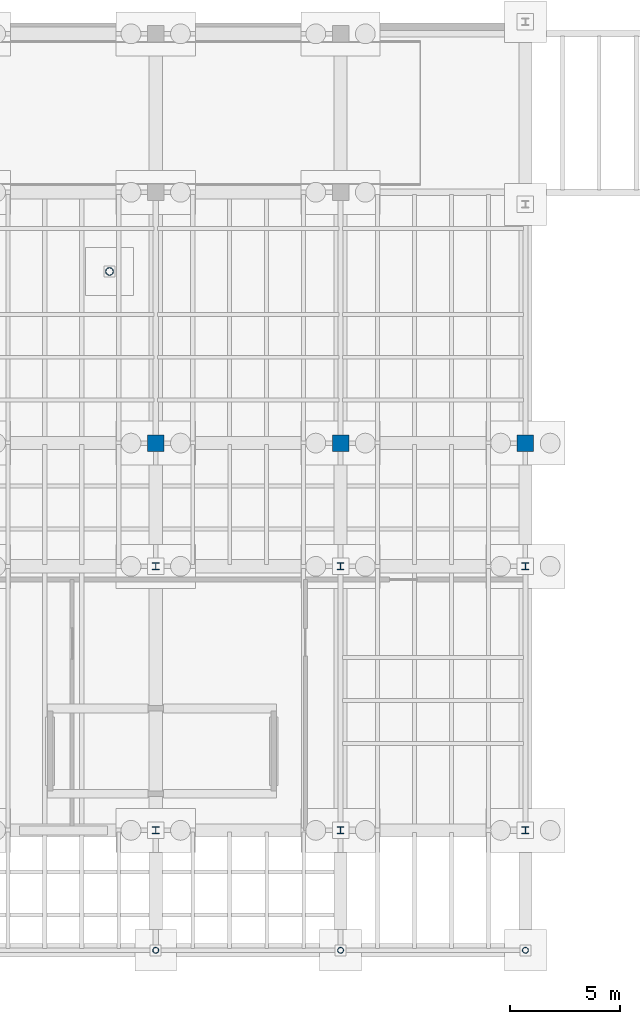
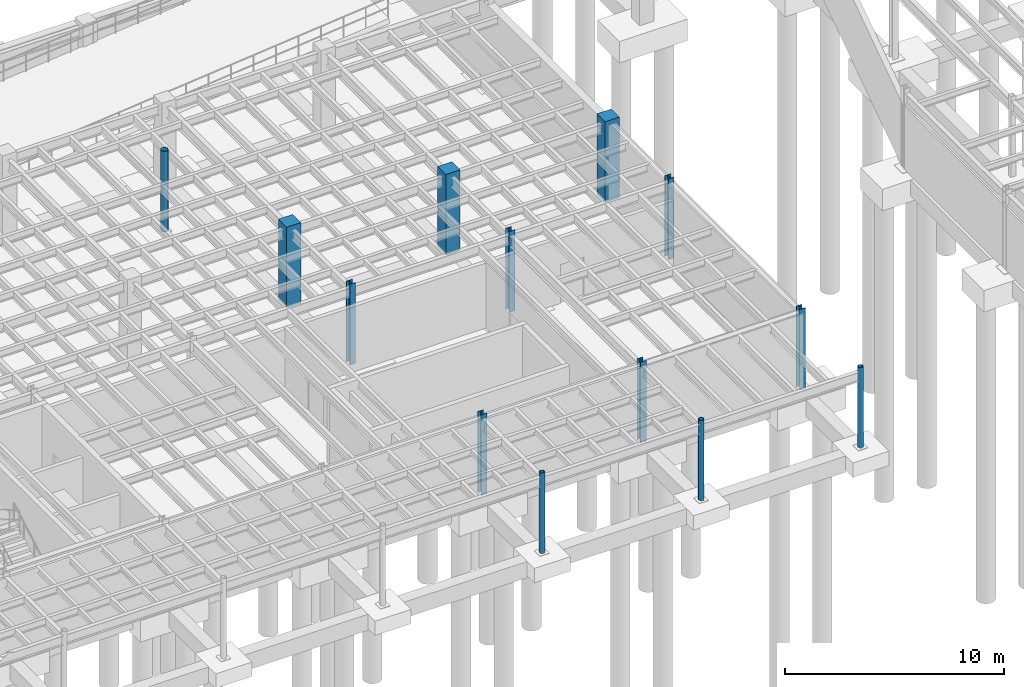
# One storey, part 13 of 41: 13 columns.
"""IFC4 building model written with IfcOpenShell, lengths in metres."""

from ifc_helpers import new_model, si_unit, direction, frame, origin, origin_2d, place, context, subcontext, project, spatial, rectangle, hollow_circle, i_section, extrude, material, material_profile, profile_set, type_object, element, save


model = new_model("IFC4")

# Units and contexts
model_context = context("Model", 3, precision=1e-05, world=origin(), true_north=direction((0.0, 1.0)))
body_context = subcontext(model_context, "Body", "Model", "MODEL_VIEW")
ifc_project = project(units=[si_unit("LENGTHUNIT", "METRE"), si_unit("AREAUNIT", "SQUARE_METRE"), si_unit("VOLUMEUNIT", "CUBIC_METRE"), si_unit("PLANEANGLEUNIT", "RADIAN"), si_unit("MASSUNIT", "GRAM", prefix="KILO")], contexts=[model_context])

# Site, building, storey
site_placement = place(None, origin())
site = spatial("IfcSite", under=ifc_project, at=site_placement, CompositionType="ELEMENT")
building_placement = place(site_placement, origin())
building = spatial("IfcBuilding", under=site, at=building_placement, Name="Selat Folded Stagehouse", CompositionType="ELEMENT")
storey_placement = place(building_placement, frame((0.0, 0.0, -4.5)))
storey = spatial("IfcBuildingStorey", under=building, at=storey_placement, Name="B1", CompositionType="ELEMENT", Elevation=-4.5)

# Columns
ifc_material_1 = material(Name="Steel S355", Category="steel")
ifc_material_profile_1 = material_profile(ifc_material_1, hollow_circle(Radius=0.136474609375, WallThickness=0.012451171875, at=origin_2d()), Name="CHS 273.0x12.5")
ifc_profile_set_1 = profile_set([ifc_material_profile_1], Name="Steel S355")
column_type_1 = type_object("IfcColumnType", Name="COL-CHS-273x12.5", PredefinedType="COLUMN", material=ifc_profile_set_1)
for number, where, z_axis, x_axis, name in (
    (1, (100.800048828125, 0.35009765625, 0.0), (0.0, 0.0, 1.0), (1.0, 0.0, 0.0), "B1 column STK-COLPOST-100"),
    (2, (109.199951171875, 0.35009765625, 0.0), (0.0, 0.0, 1.0), (1.0, 0.0, 0.0), "B1 column STK-COLPOST-109"),
    (3, (117.60009765625, 0.35009765625, 0.0), (0.0, 0.0, 1.0), (1.0, 0.0, 0.0), "B1 column STK-COLPOST-117"),
):
    element("IfcColumn", number, at=place(storey_placement, frame(where, z_axis=z_axis, x_axis=x_axis)), inside=storey, type_object=column_type_1, Name=name, PredefinedType="COLUMN", context=body_context, shape_type="SweptSolid", body=[
        extrude(hollow_circle(Radius=0.136474609375, WallThickness=0.012451171875, at=origin_2d()), origin(), (0.0, 0.0, 1.0), 4.5),
    ])
ifc_material_profile_2 = material_profile(ifc_material_1, hollow_circle(Radius=0.177734375, WallThickness=0.01611328125, at=origin_2d()), Name="CHS 355.6x16.0")
ifc_profile_set_2 = profile_set([ifc_material_profile_2], Name="Steel S355")
column_type_2 = type_object("IfcColumnType", Name="COL-CHS-355x16", PredefinedType="COLUMN", material=ifc_profile_set_2)
column_placement = place(storey_placement, frame((98.699951171875, 31.199951171875, 0.0), z_axis=(0.0, 0.0, 1.0), x_axis=(1.0, 0.0, 0.0)))
element("IfcColumn", 4, at=column_placement, inside=storey, type_object=column_type_2, Name="B1 column STK-BR2-312", PredefinedType="COLUMN", context=body_context, shape_type="SweptSolid", body=[
    extrude(hollow_circle(Radius=0.177734375, WallThickness=0.01611328125, at=origin_2d()), origin(), (0.0, 0.0, 1.0), 4.5),
])
ifc_material_2 = material(Name="Concrete C50/60", Category="concrete")
ifc_material_profile_3 = material_profile(ifc_material_2, rectangle(XDim=0.75, YDim=0.75, at=origin_2d()), Name="RC 750x750")
ifc_profile_set_3 = profile_set([ifc_material_profile_3], Name="Concrete C50/60")
column_type_3 = type_object("IfcColumnType", Name="COL-RC-750x750", PredefinedType="COLUMN", material=ifc_profile_set_3)
for number, where, z_axis, x_axis, name in (
    (5, (100.800048828125, 23.39990234375, 0.0), (0.0, 0.0, 1.0), (1.0, 0.0, 0.0), "B1 column STK-B1CP-100-234"),
    (6, (109.199951171875, 23.39990234375, 0.0), (0.0, 0.0, 1.0), (1.0, 0.0, 0.0), "B1 column STK-B1CP-109-234"),
    (7, (117.60009765625, 23.39990234375, 0.0), (0.0, 0.0, 1.0), (1.0, 0.0, 0.0), "B1 column STK-B1CP-117-234"),
):
    element("IfcColumn", number, at=place(storey_placement, frame(where, z_axis=z_axis, x_axis=x_axis)), inside=storey, type_object=column_type_3, Name=name, PredefinedType="COLUMN", context=body_context, shape_type="SweptSolid", body=[
        extrude(rectangle(XDim=0.75, YDim=0.75, at=origin_2d()), origin(), (0.0, 0.0, 1.0), 4.5),
    ])
ifc_material_profile_4 = material_profile(ifc_material_1, i_section(OverallWidth=0.311279296875, OverallDepth=0.3271484375, WebThickness=0.015869140625, FlangeThickness=0.02490234375, FilletRadius=0.01513671875, at=origin_2d()), Name="UKC 305x305x158")
ifc_profile_set_4 = profile_set([ifc_material_profile_4], Name="Steel S355")
column_type_4 = type_object("IfcColumnType", Name="COL-UKC-305x305x158", PredefinedType="COLUMN", material=ifc_profile_set_4)
for number, where, z_axis, x_axis, name in (
    (8, (100.800048828125, 5.800048828125, 0.0), (0.0, 0.0, 1.0), (1.0, 0.0, 0.0), "B1 column STK-V5-100-58"),
    (9, (100.800048828125, 17.800048828125, 0.0), (0.0, 0.0, 1.0), (1.0, 0.0, 0.0), "B1 column STK-V5-100-178"),
    (10, (109.199951171875, 5.800048828125, 0.0), (0.0, 0.0, 1.0), (1.0, 0.0, 0.0), "B1 column STK-V5-109-58"),
    (11, (109.199951171875, 17.800048828125, 0.0), (0.0, 0.0, 1.0), (1.0, 0.0, 0.0), "B1 column STK-V5-109-178"),
    (12, (117.60009765625, 5.800048828125, 0.0), (0.0, 0.0, 1.0), (1.0, 0.0, 0.0), "B1 column STK-V5-117-58"),
    (13, (117.60009765625, 17.800048828125, 0.0), (0.0, 0.0, 1.0), (1.0, 0.0, 0.0), "B1 column STK-V5-117-178"),
):
    element("IfcColumn", number, at=place(storey_placement, frame(where, z_axis=z_axis, x_axis=x_axis)), inside=storey, type_object=column_type_4, Name=name, PredefinedType="COLUMN", context=body_context, shape_type="SweptSolid", body=[
        extrude(i_section(OverallWidth=0.311279296875, OverallDepth=0.3271484375, WebThickness=0.015869140625, FlangeThickness=0.02490234375, FilletRadius=0.01513671875, at=origin_2d()), origin(), (0.0, 0.0, 1.0), 4.5),
    ])

save(model, "model.ifc")
